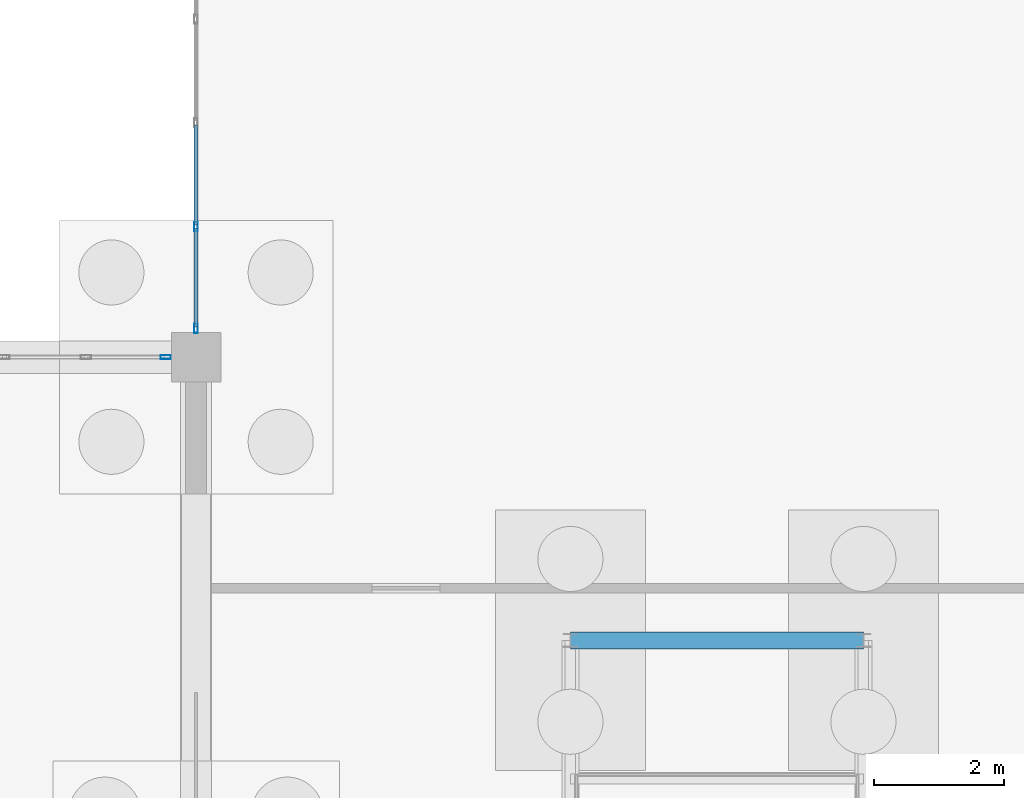
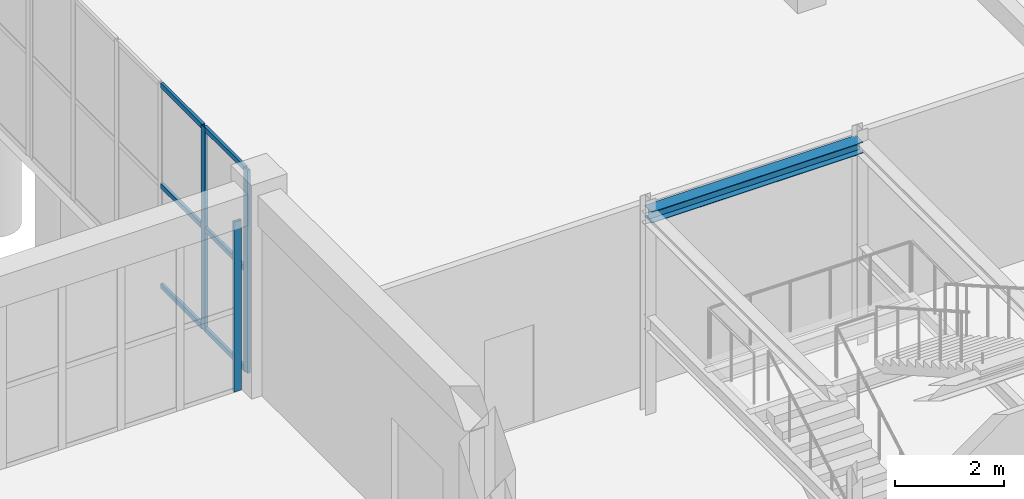
# One storey, part 104 of 192: 9 members, 1 beam, 2 elements without a shape of their own.
"""IFC4 building model written with IfcOpenShell, lengths in metres."""

from ifc_helpers import new_model, si_unit, direction, frame, origin, origin_2d, place, context, subcontext, project, spatial, hollow_rectangle, i_section, extrude, material, layer, layer_set, material_profile, profile_set, type_object, element, aggregate, save


model = new_model("IFC4")

# Units and contexts
model_context = context("Model", 3, precision=1e-05, world=origin(), true_north=direction((0.0, 1.0)))
body_context = subcontext(model_context, "Body", "Model", "MODEL_VIEW")
ifc_project = project(units=[si_unit("LENGTHUNIT", "METRE"), si_unit("AREAUNIT", "SQUARE_METRE"), si_unit("VOLUMEUNIT", "CUBIC_METRE"), si_unit("PLANEANGLEUNIT", "RADIAN"), si_unit("MASSUNIT", "GRAM", prefix="KILO")], contexts=[model_context])

# Site, building, storey
site_placement = place(None, origin())
site = spatial("IfcSite", under=ifc_project, at=site_placement, CompositionType="ELEMENT")
building_placement = place(site_placement, origin())
building = spatial("IfcBuilding", under=site, at=building_placement, Name="Trelvath General Hospital", CompositionType="ELEMENT")
storey_placement = place(building_placement, origin())
storey = spatial("IfcBuildingStorey", under=building, at=storey_placement, Name="L00", CompositionType="ELEMENT", Elevation=0.0)

# Curtain wall, members
ifc_material_1 = material(Name="Anodised aluminium and low-E glass", Category="aluminium")
ifc_layer_1 = layer(ifc_material_1, 0.139892578125)
ifc_layer_set_1 = layer_set([ifc_layer_1], Name="Anodised aluminium and low-E glass")
curtain_wall_type_1 = type_object("IfcCurtainWallType", Name="CW CrystalCube 797 456 14", PredefinedType="USERDEFINED", material=ifc_layer_set_1)
curtain_wall_1_placement = place(storey_placement, origin())
curtain_wall_1 = element("IfcCurtainWall", 1, at=curtain_wall_1_placement, inside=storey, type_object=curtain_wall_type_1, Name="Crystal Cube Curtain Wall CUBE-E-T0 W5 L00", ObjectType="Unitised Glazed Curtain Wall", PredefinedType="USERDEFINED")
ifc_material_2 = material(Name="Anodised aluminium", Category="aluminium")
ifc_material_profile_1 = material_profile(ifc_material_2, hollow_rectangle(XDim=0.06005859375, YDim=0.139892578125, WallThickness=0.00390625, at=origin_2d()), Name="RHS60x140x4")
ifc_profile_set_1 = profile_set([ifc_material_profile_1], Name="Anodised aluminium")
member_type_1 = type_object("IfcMemberType", Name="CurtainMullion 60x140", PredefinedType="MULLION", material=ifc_profile_set_1)
member_1_placement = place(storey_placement, frame((92.39990234375, 67.639892578125, 0.0), z_axis=(0.0, 0.0, 1.0), x_axis=(-1.0, 0.0, 0.0)))
member_1 = element("IfcMember", 2, at=member_1_placement, type_object=member_type_1, Name="CW-123 mullion 1", PredefinedType="MULLION", context=body_context, shape_type="SweptSolid", body=[
    extrude(hollow_rectangle(XDim=0.06005859375, YDim=0.139892578125, WallThickness=0.00390625, at=origin_2d()), origin(), (0.0, 0.0, 1.0), 4.56005859375),
])
member_2_placement = place(storey_placement, frame((92.39990234375, 69.2041015625, 0.0), z_axis=(0.0, 0.0, 1.0), x_axis=(-1.0, 0.0, 0.0)))
member_2 = element("IfcMember", 3, at=member_2_placement, type_object=member_type_1, Name="CW-123 mullion 2", PredefinedType="MULLION", context=body_context, shape_type="SweptSolid", body=[
    extrude(hollow_rectangle(XDim=0.06005859375, YDim=0.139892578125, WallThickness=0.00390625, at=origin_2d()), origin(), (0.0, 0.0, 1.0), 4.56005859375),
])

# Curtain wall, member
ifc_material_3 = material(Name="Anodised aluminium and low-E glass", Category="aluminium")
ifc_layer_2 = layer(ifc_material_3, 0.159912109375)
ifc_layer_set_2 = layer_set([ifc_layer_2], Name="Anodised aluminium and low-E glass")
curtain_wall_type_2 = type_object("IfcCurtainWallType", Name="CW Facade 753 382 16", PredefinedType="USERDEFINED", material=ifc_layer_set_2)
curtain_wall_2_placement = place(storey_placement, origin())
curtain_wall_2 = element("IfcCurtainWall", 4, at=curtain_wall_2_placement, inside=storey, type_object=curtain_wall_type_2, Name="Facade Curtain Wall CW-003", ObjectType="Unitised Glazed Curtain Wall", PredefinedType="USERDEFINED")
ifc_material_4 = material(Name="Anodised aluminium", Category="aluminium")
ifc_material_profile_2 = material_profile(ifc_material_4, hollow_rectangle(XDim=0.06005859375, YDim=0.159912109375, WallThickness=0.00390625, at=origin_2d()), Name="RHS60x160x4")
ifc_profile_set_2 = profile_set([ifc_material_profile_2], Name="Anodised aluminium")
member_type_2 = type_object("IfcMemberType", Name="CurtainMullion 60x160", PredefinedType="MULLION", material=ifc_profile_set_2)
member_3_placement = place(storey_placement, frame((91.93505859375, 67.199951171875, 0.0), z_axis=(0.0, 0.0, 1.0), x_axis=(0.0, 1.0, 0.0)))
member_3 = element("IfcMember", 5, at=member_3_placement, type_object=member_type_2, Name="CW-003 mullion 7", PredefinedType="MULLION", context=body_context, shape_type="SweptSolid", body=[
    extrude(hollow_rectangle(XDim=0.06005859375, YDim=0.159912109375, WallThickness=0.00390625, at=origin_2d()), origin(), (0.0, 0.0, 1.0), 3.820068359375),
])
aggregate(curtain_wall_2, [member_3])

# Member
ifc_material_5 = material(Name="Anodised aluminium", Category="aluminium")
ifc_material_profile_3 = material_profile(ifc_material_5, hollow_rectangle(XDim=0.06005859375, YDim=0.110107421875, WallThickness=0.00390625, at=origin_2d()), Name="RHS60x110x4")
ifc_profile_set_3 = profile_set([ifc_material_profile_3], Name="Anodised aluminium")
member_type_3 = type_object("IfcMemberType", Name="CurtainTransom 60x110", PredefinedType="USERDEFINED", material=ifc_profile_set_3)
member_4_placement = place(storey_placement, frame((92.39990234375, 67.669921875, 0.030029296875), z_axis=(0.0, 1.0, 0.0), x_axis=(-1.0, 0.0, 0.0)))
member_4 = element("IfcMember", 6, at=member_4_placement, type_object=member_type_3, Name="CW-123 transom 1.1", ObjectType="TRANSOM", PredefinedType="USERDEFINED", context=body_context, shape_type="SweptSolid", body=[
    extrude(hollow_rectangle(XDim=0.06005859375, YDim=0.110107421875, WallThickness=0.00390625, at=origin_2d()), origin(), (0.0, 0.0, 1.0), 1.504150390625),
])

member_5_placement = place(storey_placement, frame((92.39990234375, 67.669921875, 2.280029296875), z_axis=(0.0, 1.0, 0.0), x_axis=(-1.0, 0.0, 0.0)))
member_5 = element("IfcMember", 7, at=member_5_placement, type_object=member_type_3, Name="CW-123 transom 1.2", ObjectType="TRANSOM", PredefinedType="USERDEFINED", context=body_context, shape_type="SweptSolid", body=[
    extrude(hollow_rectangle(XDim=0.06005859375, YDim=0.110107421875, WallThickness=0.00390625, at=origin_2d()), origin(), (0.0, 0.0, 1.0), 1.504150390625),
])

member_6_placement = place(storey_placement, frame((92.39990234375, 67.669921875, 4.530029296875), z_axis=(0.0, 1.0, 0.0), x_axis=(-1.0, 0.0, 0.0)))
member_6 = element("IfcMember", 8, at=member_6_placement, type_object=member_type_3, Name="CW-123 transom 1.3", ObjectType="TRANSOM", PredefinedType="USERDEFINED", context=body_context, shape_type="SweptSolid", body=[
    extrude(hollow_rectangle(XDim=0.06005859375, YDim=0.110107421875, WallThickness=0.00390625, at=origin_2d()), origin(), (0.0, 0.0, 1.0), 1.504150390625),
])

member_7_placement = place(storey_placement, frame((92.39990234375, 69.23388671875, 0.030029296875), z_axis=(0.0, 1.0, 0.0), x_axis=(-1.0, 0.0, 0.0)))
member_7 = element("IfcMember", 9, at=member_7_placement, type_object=member_type_3, Name="CW-123 transom 2.1", ObjectType="TRANSOM", PredefinedType="USERDEFINED", context=body_context, shape_type="SweptSolid", body=[
    extrude(hollow_rectangle(XDim=0.06005859375, YDim=0.110107421875, WallThickness=0.00390625, at=origin_2d()), origin(), (0.0, 0.0, 1.0), 1.5341796875),
])

member_8_placement = place(storey_placement, frame((92.39990234375, 69.23388671875, 2.280029296875), z_axis=(0.0, 1.0, 0.0), x_axis=(-1.0, 0.0, 0.0)))
member_8 = element("IfcMember", 10, at=member_8_placement, type_object=member_type_3, Name="CW-123 transom 2.2", ObjectType="TRANSOM", PredefinedType="USERDEFINED", context=body_context, shape_type="SweptSolid", body=[
    extrude(hollow_rectangle(XDim=0.06005859375, YDim=0.110107421875, WallThickness=0.00390625, at=origin_2d()), origin(), (0.0, 0.0, 1.0), 1.5341796875),
])

member_9_placement = place(storey_placement, frame((92.39990234375, 69.23388671875, 4.530029296875), z_axis=(0.0, 1.0, 0.0), x_axis=(-1.0, 0.0, 0.0)))
member_9 = element("IfcMember", 11, at=member_9_placement, type_object=member_type_3, Name="CW-123 transom 2.3", ObjectType="TRANSOM", PredefinedType="USERDEFINED", context=body_context, shape_type="SweptSolid", body=[
    extrude(hollow_rectangle(XDim=0.06005859375, YDim=0.110107421875, WallThickness=0.00390625, at=origin_2d()), origin(), (0.0, 0.0, 1.0), 1.5341796875),
])

aggregate(curtain_wall_1, [member_1, member_2, member_4, member_5, member_6, member_7, member_8, member_9])

# Beam
ifc_material_6 = material(Name="Steel S355", Category="steel")
ifc_material_profile_4 = material_profile(ifc_material_6, i_section(OverallWidth=0.260009765625, OverallDepth=0.25, WebThickness=0.007568359375, FlangeThickness=0.012451171875, at=origin_2d()), Name="HEA260")
ifc_profile_set_4 = profile_set([ifc_material_profile_4], Name="Steel S355")
beam_type = type_object("IfcBeamType", Name="RingBeam HEA260", PredefinedType="BEAM", material=ifc_profile_set_4)
beam_placement = place(storey_placement, frame((98.14990234375, 62.85009765625, 4.4150390625), z_axis=(1.0, 0.0, 0.0), x_axis=(0.0, 1.0, 0.0)))
element("IfcBeam", 12, at=beam_placement, inside=storey, type_object=beam_type, Name="Atrium Ring Beam CUBE-E N L00", PredefinedType="BEAM", context=body_context, shape_type="SweptSolid", body=[
    extrude(i_section(OverallWidth=0.260009765625, OverallDepth=0.25, WebThickness=0.007568359375, FlangeThickness=0.012451171875, at=origin_2d()), origin(), (0.0, 0.0, 1.0), 4.5),
])

save(model, "model.ifc")
